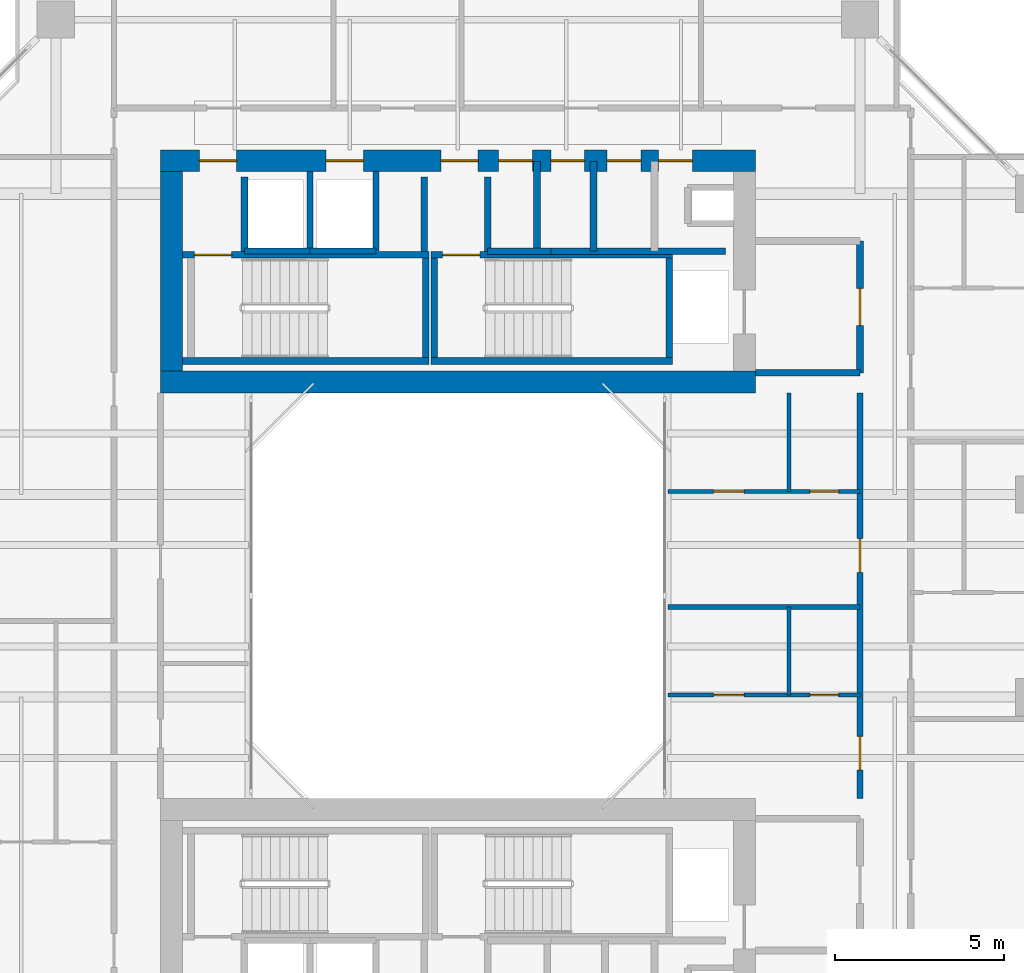
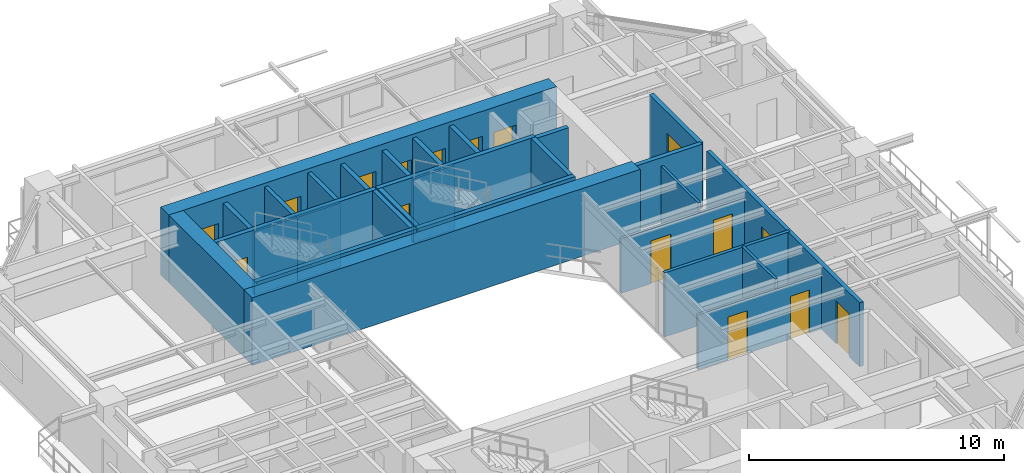
# One storey, part 14 of 23: 29 walls, 16 doors, 16 openings.
"""IFC4 building model written with IfcOpenShell, lengths in metres."""

from ifc_helpers import new_model, si_unit, direction, frame, frame_2d, origin, place, context, subcontext, project, spatial, rectangle, extrude, source, transform, mapped, material, layer, layer_set, type_object, element, fill, save


model = new_model("IFC4")

# Units and contexts
model_context = context("Model", 3, precision=1e-05, world=origin(), true_north=direction((0.0, 1.0)))
body_context = subcontext(model_context, "Body", "Model", "MODEL_VIEW")
ifc_project = project(units=[si_unit("LENGTHUNIT", "METRE"), si_unit("AREAUNIT", "SQUARE_METRE"), si_unit("VOLUMEUNIT", "CUBIC_METRE"), si_unit("PLANEANGLEUNIT", "RADIAN"), si_unit("MASSUNIT", "GRAM", prefix="KILO"), si_unit("THERMODYNAMICTEMPERATUREUNIT", "KELVIN"), si_unit("POWERUNIT", "WATT")], contexts=[model_context])

# Site, building, storey
site_placement = place(None, origin())
site = spatial("IfcSite", under=ifc_project, at=site_placement, CompositionType="ELEMENT")
building_placement = place(site_placement, origin())
building = spatial("IfcBuilding", under=site, at=building_placement, Name="Qiaomeng Ring Towers", CompositionType="ELEMENT")
storey_placement = place(building_placement, frame((0.0, 0.0, 103.5)))
storey = spatial("IfcBuildingStorey", under=building, at=storey_placement, Name="L29", CompositionType="ELEMENT", Elevation=103.5)

# Wall
ifc_material_1 = material(Name="Autoclaved aerated concrete block", Category="concrete")
ifc_layer_1 = layer(ifc_material_1, 0.199951171875, Name="Autoclaved aerated concrete block")
ifc_layer_set_1 = layer_set([ifc_layer_1], Name="Autoclaved aerated concrete block")
wall_type_1 = type_object("IfcWallType", Name="ARC-WL-PW1", PredefinedType="PARTITIONING", material=ifc_layer_set_1)
wall_1_placement = place(storey_placement, frame((27.800048828125, 29.60009765625, 0.0), z_axis=(0.0, 0.0, 1.0), x_axis=(1.0, 0.0, 0.0)))
element("IfcWall", 1, at=wall_1_placement, inside=storey, type_object=wall_type_1, Name="L29 Interior Wall PW1", PredefinedType="PARTITIONING", context=body_context, shape_type="SweptSolid", body=[
    extrude(rectangle(XDim=3.099853515625, YDim=0.199951171875, at=frame_2d((1.5498046875, 0.0))), origin(), (0.0, 0.0, 1.0), 3.070068359375),
])

# Wall, opening, door
wall_2_placement = place(storey_placement, frame((30.89990234375, 29.60009765625, 0.0), z_axis=(0.0, 0.0, 1.0), x_axis=(0.0, 1.0, 0.0)))
wall_2 = element("IfcWall", 2, at=wall_2_placement, inside=storey, type_object=wall_type_1, Name="L29 Interior Wall PW1", PredefinedType="PARTITIONING", context=body_context, shape_type="SweptSolid", body=[
    extrude(rectangle(XDim=3.89990234375, YDim=0.199951171875, at=frame_2d((1.949951171875, 0.0))), origin(), (0.0, 0.0, 1.0), 3.070068359375),
])
opening_1_placement = place(wall_2_placement, frame((1.39990234375, 0.0, 0.0)))
opening_1 = element("IfcOpeningElement", 3, at=opening_1_placement, cuts=wall_2, Name="Opening FD3", PredefinedType="OPENING", context=body_context, shape_type="SweptSolid", body=[
    extrude(rectangle(XDim=1.10009765625, YDim=2.050048828125, at=frame_2d((0.550048828125, 1.02490234375))), frame((0.0, 0.10986328125, 0.0), z_axis=(0.0, -1.0, 0.0), x_axis=(1.0, 0.0, 0.0)), (0.0, 0.0, 1.0), 0.219970703125),
])
ifc_material_2 = material(Name="Galvanised steel", Category="steel")
door_type_1 = type_object("IfcDoorType", Name="ARC-DR-FD3", OperationType="NOTDEFINED", PredefinedType="DOOR", material=ifc_material_2)
shared_shape_1 = source(origin(), body_context, "Body", "SweptSolid", [
    extrude(rectangle(XDim=1.10009765625, YDim=2.050048828125, at=frame_2d((0.550048828125, 1.02490234375))), frame((0.0, 0.02490234375, 0.0), z_axis=(0.0, -1.0, 0.0), x_axis=(1.0, 0.0, 0.0)), (0.0, 0.0, 1.0), 0.050048828125),
])
door_1_placement = place(opening_1_placement, origin())
door_1 = element("IfcDoor", 4, at=door_1_placement, inside=storey, type_object=door_type_1, Name="L29 North FF Lobby Door", OperationType="SINGLE_SWING_LEFT", OverallHeight=2.050048828125, OverallWidth=1.10009765625, PredefinedType="DOOR", context=body_context, shape_type="MappedRepresentation", body=[
    mapped(shared_shape_1, transform((0.0, 0.0, 0.0), x_axis=(1.0, 0.0, 0.0), y_axis=(0.0, 1.0, 0.0), z_axis=(0.0, 0.0, 1.0), scale=1.0)),
])
fill(opening_1, door_1)

# Walls
for number, where, z_axis, x_axis, name in (
    (5, (12.679931640625, 33.18994140625, 0.0), (0.0, 0.0, 1.0), (0.0, 1.0, 0.0), "L29 Interior Wall PW1"),
    (6, (18.0, 33.18994140625, 0.0), (0.0, 0.0, 1.0), (0.0, 1.0, 0.0), "L29 Interior Wall PW1"),
    (7, (19.8798828125, 33.18994140625, 0.0), (0.0, 0.0, 1.0), (0.0, 1.0, 0.0), "L29 Interior Wall PW1"),
):
    element("IfcWall", number, at=place(storey_placement, frame(where, z_axis=z_axis, x_axis=x_axis)), inside=storey, type_object=wall_type_1, Name=name, PredefinedType="PARTITIONING", context=body_context, shape_type="SweptSolid", body=[
        extrude(rectangle(XDim=2.2099609375, YDim=0.199951171875, at=frame_2d((1.10498046875, 0.0))), origin(), (0.0, 0.0, 1.0), 3.070068359375),
    ])
wall_3_placement = place(storey_placement, frame((19.8798828125, 33.199951171875, 0.0), z_axis=(0.0, 0.0, 1.0), x_axis=(1.0, 0.0, 0.0)))
element("IfcWall", 8, at=wall_3_placement, inside=storey, type_object=wall_type_1, Name="L29 Interior Wall PW1", PredefinedType="PARTITIONING", context=body_context, shape_type="SweptSolid", body=[
    extrude(rectangle(XDim=1.8701171875, YDim=0.199951171875, at=frame_2d((0.93505859375, 0.0))), origin(), (0.0, 0.0, 1.0), 3.070068359375),
])
for number, where, z_axis, x_axis, name in (
    (9, (21.340087890625, 33.199951171875, 0.0), (0.0, 0.0, 1.0), (0.0, 1.0, 0.0), "L29 Interior Wall PW1"),
    (10, (23.010009765625, 33.199951171875, 0.0), (0.0, 0.0, 1.0), (0.0, 1.0, 0.0), "L29 Interior Wall PW1"),
):
    element("IfcWall", number, at=place(storey_placement, frame(where, z_axis=z_axis, x_axis=x_axis)), inside=storey, type_object=wall_type_1, Name=name, PredefinedType="PARTITIONING", context=body_context, shape_type="SweptSolid", body=[
        extrude(rectangle(XDim=2.650146484375, YDim=0.199951171875, at=frame_2d((1.3251953125, 0.0))), origin(), (0.0, 0.0, 1.0), 3.070068359375),
    ])
wall_4_placement = place(storey_placement, frame((21.75, 33.199951171875, 0.0), z_axis=(0.0, 0.0, 1.0), x_axis=(1.0, 0.0, 0.0)))
element("IfcWall", 11, at=wall_4_placement, inside=storey, type_object=wall_type_1, Name="L29 Interior Wall PW1", PredefinedType="PARTITIONING", context=body_context, shape_type="SweptSolid", body=[
    extrude(rectangle(XDim=5.169921875, YDim=0.199951171875, at=frame_2d((2.5849609375, 0.0))), origin(), (0.0, 0.0, 1.0), 3.070068359375),
])

# Wall, openings, doors
ifc_layer_2 = layer(ifc_material_1, 0.179931640625, Name="Autoclaved aerated concrete block")
ifc_layer_set_2 = layer_set([ifc_layer_2], Name="Autoclaved aerated concrete block")
wall_type_2 = type_object("IfcWallType", Name="ARC-WL-PW2", PredefinedType="PARTITIONING", material=ifc_layer_set_2)
wall_5_placement = place(storey_placement, frame((30.89990234375, 17.0, 0.0), z_axis=(0.0, 0.0, 1.0), x_axis=(0.0, 1.0, 0.0)))
wall_5 = element("IfcWall", 12, at=wall_5_placement, inside=storey, type_object=wall_type_2, Name="L29 Interior Wall PW2", PredefinedType="PARTITIONING", context=body_context, shape_type="SweptSolid", body=[
    extrude(rectangle(XDim=12.0, YDim=0.179931640625, at=frame_2d((6.0, 0.0))), origin(), (0.0, 0.0, 1.0), 3.070068359375),
])
opening_2_placement = place(wall_5_placement, frame((0.840087890625, 0.0, 0.0)))
opening_2 = element("IfcOpeningElement", 13, at=opening_2_placement, cuts=wall_5, Name="Opening FD4", PredefinedType="OPENING", context=body_context, shape_type="SweptSolid", body=[
    extrude(rectangle(XDim=1.0, YDim=2.050048828125, at=frame_2d((0.5, 1.02490234375))), frame((0.0, 0.099853515625, 0.0), z_axis=(0.0, -1.0, 0.0), x_axis=(1.0, 0.0, 0.0)), (0.0, 0.0, 1.0), 0.199951171875),
])
opening_3_placement = place(wall_5_placement, frame((6.68994140625, 0.0, 0.0)))
opening_3 = element("IfcOpeningElement", 14, at=opening_3_placement, cuts=wall_5, Name="Opening FD4", PredefinedType="OPENING", context=body_context, shape_type="SweptSolid", body=[
    extrude(rectangle(XDim=1.0, YDim=2.050048828125, at=frame_2d((0.5, 1.02490234375))), frame((0.0, 0.099853515625, 0.0), z_axis=(0.0, -1.0, 0.0), x_axis=(1.0, 0.0, 0.0)), (0.0, 0.0, 1.0), 0.199951171875),
])
ifc_material_3 = material(Name="Engineered fire-rated oak timber", Category="wood")
door_type_2 = type_object("IfcDoorType", Name="ARC-DR-FD4", OperationType="NOTDEFINED", PredefinedType="DOOR", material=ifc_material_3)
shared_shape_2 = source(origin(), body_context, "Body", "SweptSolid", [
    extrude(rectangle(XDim=1.0, YDim=2.050048828125, at=frame_2d((0.5, 1.02490234375))), frame((0.0, 0.02490234375, 0.0), z_axis=(0.0, -1.0, 0.0), x_axis=(1.0, 0.0, 0.0)), (0.0, 0.0, 1.0), 0.050048828125),
])
door_2_placement = place(opening_2_placement, origin())
door_2 = element("IfcDoor", 15, at=door_2_placement, inside=storey, type_object=door_type_2, Name="L29 Door FD4", OperationType="SINGLE_SWING_LEFT", OverallHeight=2.050048828125, OverallWidth=1.0, PredefinedType="DOOR", context=body_context, shape_type="MappedRepresentation", body=[
    mapped(shared_shape_2, transform((0.0, 0.0, 0.0), x_axis=(1.0, 0.0, 0.0), y_axis=(0.0, 1.0, 0.0), z_axis=(0.0, 0.0, 1.0), scale=1.0)),
])
fill(opening_2, door_2)
door_3_placement = place(opening_3_placement, origin())
door_3 = element("IfcDoor", 16, at=door_3_placement, inside=storey, type_object=door_type_2, Name="L29 Door FD4", OperationType="SINGLE_SWING_RIGHT", OverallHeight=2.050048828125, OverallWidth=1.0, PredefinedType="DOOR", context=body_context, shape_type="MappedRepresentation", body=[
    mapped(shared_shape_2, transform((0.0, 0.0, 0.0), x_axis=(1.0, 0.0, 0.0), y_axis=(0.0, 1.0, 0.0), z_axis=(0.0, 0.0, 1.0), scale=1.0)),
])
fill(opening_3, door_3)

# Wall
ifc_material_4 = material(Name="Gypsum fireboard steel-stud partition", Category="steel")
ifc_layer_3 = layer(ifc_material_4, 0.14990234375, Name="Gypsum fireboard steel-stud partition")
ifc_layer_set_3 = layer_set([ifc_layer_3], Name="Gypsum fireboard steel-stud partition")
wall_type_3 = type_object("IfcWallType", Name="ARC-WL-PW3", PredefinedType="PARTITIONING", material=ifc_layer_set_3)
wall_6_placement = place(storey_placement, frame((25.219970703125, 22.669921875, 0.0), z_axis=(0.0, 0.0, 1.0), x_axis=(1.0, 0.0, 0.0)))
element("IfcWall", 17, at=wall_6_placement, inside=storey, type_object=wall_type_3, Name="L29 Interior Wall PW3", PredefinedType="PARTITIONING", context=body_context, shape_type="SweptSolid", body=[
    extrude(rectangle(XDim=5.679931640625, YDim=0.14990234375, at=frame_2d((2.83984375, 0.0))), origin(), (0.0, 0.0, 1.0), 3.070068359375),
])

# Wall, openings, doors
ifc_material_5 = material(Name="Moisture-resistant gypsum steel-stud partition", Category="steel")
ifc_layer_4 = layer(ifc_material_5, 0.1201171875, Name="Moisture-resistant gypsum steel-stud partition")
ifc_layer_set_4 = layer_set([ifc_layer_4], Name="Moisture-resistant gypsum steel-stud partition")
wall_type_4 = type_object("IfcWallType", Name="ARC-WL-PW4", PredefinedType="PLUMBINGWALL", material=ifc_layer_set_4)
wall_7_placement = place(storey_placement, frame((25.219970703125, 20.06005859375, 0.0), z_axis=(0.0, 0.0, 1.0), x_axis=(1.0, 0.0, 0.0)))
wall_7 = element("IfcWall", 18, at=wall_7_placement, inside=storey, type_object=wall_type_4, Name="L29 Interior Wall PW4", PredefinedType="PLUMBINGWALL", context=body_context, shape_type="SweptSolid", body=[
    extrude(rectangle(XDim=5.679931640625, YDim=0.1201171875, at=frame_2d((2.83984375, 0.0))), origin(), (0.0, 0.0, 1.0), 2.625),
])
opening_4_placement = place(wall_7_placement, frame((1.35009765625, 0.0, 0.0)))
opening_4 = element("IfcOpeningElement", 19, at=opening_4_placement, cuts=wall_7, Name="Opening ID1", PredefinedType="OPENING", context=body_context, shape_type="SweptSolid", body=[
    extrude(rectangle(XDim=0.89990234375, YDim=2.050048828125, at=frame_2d((0.449951171875, 1.02490234375))), frame((0.0, 0.070068359375, 0.0), z_axis=(0.0, -1.0, 0.0), x_axis=(1.0, 0.0, 0.0)), (0.0, 0.0, 1.0), 0.14013671875),
])
opening_5_placement = place(wall_7_placement, frame((4.195068359375, 0.0, 0.0)))
opening_5 = element("IfcOpeningElement", 20, at=opening_5_placement, cuts=wall_7, Name="Opening ID2", PredefinedType="OPENING", context=body_context, shape_type="SweptSolid", body=[
    extrude(rectangle(XDim=0.85009765625, YDim=2.050048828125, at=frame_2d((0.425048828125, 1.02490234375))), frame((0.0, 0.070068359375, 0.0), z_axis=(0.0, -1.0, 0.0), x_axis=(1.0, 0.0, 0.0)), (0.0, 0.0, 1.0), 0.14013671875),
])
ifc_material_6 = material(Name="Moisture-resistant engineered timber", Category="wood")
door_type_3 = type_object("IfcDoorType", Name="ARC-DR-ID2", OperationType="NOTDEFINED", PredefinedType="DOOR", material=ifc_material_6)
shared_shape_3 = source(origin(), body_context, "Body", "SweptSolid", [
    extrude(rectangle(XDim=0.85009765625, YDim=2.050048828125, at=frame_2d((0.425048828125, 1.02490234375))), frame((0.0, 0.02490234375, 0.0), z_axis=(0.0, -1.0, 0.0), x_axis=(1.0, 0.0, 0.0)), (0.0, 0.0, 1.0), 0.050048828125),
])
door_4_placement = place(opening_5_placement, origin())
door_4 = element("IfcDoor", 21, at=door_4_placement, inside=storey, type_object=door_type_3, Name="L29 Door ID2", OperationType="SINGLE_SWING_RIGHT", OverallHeight=2.050048828125, OverallWidth=0.85009765625, PredefinedType="DOOR", context=body_context, shape_type="MappedRepresentation", body=[
    mapped(shared_shape_3, transform((0.0, 0.0, 0.0), x_axis=(1.0, 0.0, 0.0), y_axis=(0.0, 1.0, 0.0), z_axis=(0.0, 0.0, 1.0), scale=1.0)),
])
fill(opening_5, door_4)
ifc_material_7 = material(Name="Engineered oak timber", Category="wood")
door_type_4 = type_object("IfcDoorType", Name="ARC-DR-ID1", OperationType="NOTDEFINED", PredefinedType="DOOR", material=ifc_material_7)
shared_shape_4 = source(origin(), body_context, "Body", "SweptSolid", [
    extrude(rectangle(XDim=0.89990234375, YDim=2.050048828125, at=frame_2d((0.449951171875, 1.02490234375))), frame((0.0, 0.02490234375, 0.0), z_axis=(0.0, -1.0, 0.0), x_axis=(1.0, 0.0, 0.0)), (0.0, 0.0, 1.0), 0.050048828125),
])
door_5_placement = place(opening_4_placement, origin())
door_5 = element("IfcDoor", 22, at=door_5_placement, inside=storey, type_object=door_type_4, Name="L29 Door ID1", OperationType="SINGLE_SWING_LEFT", OverallHeight=2.050048828125, OverallWidth=0.89990234375, PredefinedType="DOOR", context=body_context, shape_type="MappedRepresentation", body=[
    mapped(shared_shape_4, transform((0.0, 0.0, 0.0), x_axis=(1.0, 0.0, 0.0), y_axis=(0.0, 1.0, 0.0), z_axis=(0.0, 0.0, 1.0), scale=1.0)),
])
fill(opening_4, door_5)

# Wall
wall_8_placement = place(storey_placement, frame((28.800048828125, 20.06005859375, 0.0), z_axis=(0.0, 0.0, 1.0), x_axis=(0.0, 1.0, 0.0)))
element("IfcWall", 23, at=wall_8_placement, inside=storey, type_object=wall_type_4, Name="L29 Interior Wall PW4", PredefinedType="PLUMBINGWALL", context=body_context, shape_type="SweptSolid", body=[
    extrude(rectangle(XDim=2.60986328125, YDim=0.1201171875, at=frame_2d((1.304931640625, 0.0))), origin(), (0.0, 0.0, 1.0), 3.070068359375),
])

# Wall, openings, doors
wall_9_placement = place(storey_placement, frame((25.219970703125, 26.090087890625, 0.0), z_axis=(0.0, 0.0, 1.0), x_axis=(1.0, 0.0, 0.0)))
wall_9 = element("IfcWall", 24, at=wall_9_placement, inside=storey, type_object=wall_type_4, Name="L29 Interior Wall PW4", PredefinedType="PLUMBINGWALL", context=body_context, shape_type="SweptSolid", body=[
    extrude(rectangle(XDim=5.679931640625, YDim=0.1201171875, at=frame_2d((2.83984375, 0.0))), origin(), (0.0, 0.0, 1.0), 2.625),
])
opening_6_placement = place(wall_9_placement, frame((1.35009765625, 0.0, 0.0)))
opening_6 = element("IfcOpeningElement", 25, at=opening_6_placement, cuts=wall_9, Name="Opening ID1", PredefinedType="OPENING", context=body_context, shape_type="SweptSolid", body=[
    extrude(rectangle(XDim=0.89990234375, YDim=2.050048828125, at=frame_2d((0.449951171875, 1.02490234375))), frame((0.0, 0.070068359375, 0.0), z_axis=(0.0, -1.0, 0.0), x_axis=(1.0, 0.0, 0.0)), (0.0, 0.0, 1.0), 0.14013671875),
])
opening_7_placement = place(wall_9_placement, frame((4.195068359375, 0.0, 0.0)))
opening_7 = element("IfcOpeningElement", 26, at=opening_7_placement, cuts=wall_9, Name="Opening ID2", PredefinedType="OPENING", context=body_context, shape_type="SweptSolid", body=[
    extrude(rectangle(XDim=0.85009765625, YDim=2.050048828125, at=frame_2d((0.425048828125, 1.02490234375))), frame((0.0, 0.070068359375, 0.0), z_axis=(0.0, -1.0, 0.0), x_axis=(1.0, 0.0, 0.0)), (0.0, 0.0, 1.0), 0.14013671875),
])
door_6_placement = place(opening_7_placement, origin())
door_6 = element("IfcDoor", 27, at=door_6_placement, inside=storey, type_object=door_type_3, Name="L29 Door ID2", OperationType="SINGLE_SWING_RIGHT", OverallHeight=2.050048828125, OverallWidth=0.85009765625, PredefinedType="DOOR", context=body_context, shape_type="MappedRepresentation", body=[
    mapped(shared_shape_3, transform((0.0, 0.0, 0.0), x_axis=(1.0, 0.0, 0.0), y_axis=(0.0, 1.0, 0.0), z_axis=(0.0, 0.0, 1.0), scale=1.0)),
])
fill(opening_7, door_6)
door_7_placement = place(opening_6_placement, origin())
door_7 = element("IfcDoor", 28, at=door_7_placement, inside=storey, type_object=door_type_4, Name="L29 Door ID1", OperationType="SINGLE_SWING_LEFT", OverallHeight=2.050048828125, OverallWidth=0.89990234375, PredefinedType="DOOR", context=body_context, shape_type="MappedRepresentation", body=[
    mapped(shared_shape_4, transform((0.0, 0.0, 0.0), x_axis=(1.0, 0.0, 0.0), y_axis=(0.0, 1.0, 0.0), z_axis=(0.0, 0.0, 1.0), scale=1.0)),
])
fill(opening_6, door_7)

# Walls
wall_10_placement = place(storey_placement, frame((28.800048828125, 26.090087890625, 0.0), z_axis=(0.0, 0.0, 1.0), x_axis=(0.0, 1.0, 0.0)))
element("IfcWall", 29, at=wall_10_placement, inside=storey, type_object=wall_type_4, Name="L29 Interior Wall PW4", PredefinedType="PLUMBINGWALL", context=body_context, shape_type="SweptSolid", body=[
    extrude(rectangle(XDim=2.909912109375, YDim=0.1201171875, at=frame_2d((1.455078125, 0.0))), origin(), (0.0, 0.0, 1.0), 3.070068359375),
])
ifc_material_8 = material(Name="Concrete C40", Category="concrete")
ifc_layer_5 = layer(ifc_material_8, 0.199951171875, Name="Concrete C40")
ifc_layer_set_5 = layer_set([ifc_layer_5], Name="Concrete C40")
wall_type_5 = type_object("IfcWallType", Name="STR-WL-STSHAFT", PredefinedType="SHEAR", material=ifc_layer_set_5)
wall_11_placement = place(storey_placement, frame((12.679931640625, 33.199951171875, 0.0), z_axis=(0.0, 0.0, 1.0), x_axis=(1.0, 0.0, 0.0)))
element("IfcWall", 30, at=wall_11_placement, inside=storey, type_object=wall_type_5, Name="L29 Lift LP5 Shaft Back Wall", PredefinedType="SHEAR", context=body_context, shape_type="SweptSolid", body=[
    extrude(rectangle(XDim=1.940185546875, YDim=0.179931640625, at=frame_2d((0.97021484375, 0.0))), origin(), (0.0, 0.0, 1.0), 3.070068359375),
])
wall_12_placement = place(storey_placement, frame((14.6201171875, 33.199951171875, 0.0), z_axis=(0.0, 0.0, 1.0), x_axis=(0.0, 1.0, 0.0)))
element("IfcWall", 31, at=wall_12_placement, inside=storey, type_object=wall_type_5, Name="L29 Lift LP5-LP3 Shaft Divider Wall", PredefinedType="SHEAR", context=body_context, shape_type="SweptSolid", body=[
    extrude(rectangle(XDim=2.35009765625, YDim=0.179931640625, at=frame_2d((1.175048828125, 0.0))), origin(), (0.0, 0.0, 1.0), 3.070068359375),
])
wall_13_placement = place(storey_placement, frame((14.6201171875, 33.199951171875, 0.0), z_axis=(0.0, 0.0, 1.0), x_axis=(1.0, 0.0, 0.0)))
element("IfcWall", 32, at=wall_13_placement, inside=storey, type_object=wall_type_5, Name="L29 Lift LP3 Shaft Back Wall", PredefinedType="SHEAR", context=body_context, shape_type="SweptSolid", body=[
    extrude(rectangle(XDim=1.9599609375, YDim=0.179931640625, at=frame_2d((0.97998046875, 0.0))), origin(), (0.0, 0.0, 1.0), 3.070068359375),
])
wall_14_placement = place(storey_placement, frame((16.580078125, 33.199951171875, 0.0), z_axis=(0.0, 0.0, 1.0), x_axis=(0.0, 1.0, 0.0)))
element("IfcWall", 33, at=wall_14_placement, inside=storey, type_object=wall_type_5, Name="L29 Lift LP3 East Shaft Wall", PredefinedType="SHEAR", context=body_context, shape_type="SweptSolid", body=[
    extrude(rectangle(XDim=2.35009765625, YDim=0.179931640625, at=frame_2d((1.175048828125, 0.0))), origin(), (0.0, 0.0, 1.0), 3.070068359375),
])
wall_15_placement = place(storey_placement, frame((10.85009765625, 29.949951171875, 0.0), z_axis=(0.0, 0.0, 1.0), x_axis=(1.0, 0.0, 0.0)))
element("IfcWall", 34, at=wall_15_placement, inside=storey, type_object=wall_type_5, Name="L29 Stair ST1 South Shaft Shear Wall", PredefinedType="SHEAR", context=body_context, shape_type="SweptSolid", body=[
    extrude(rectangle(XDim=7.2998046875, YDim=0.199951171875, at=frame_2d((3.64990234375, 0.0))), origin(), (0.0, 0.0, 1.0), 3.25),
])

# Wall, opening, door
wall_16_placement = place(storey_placement, frame((10.85009765625, 33.090087890625, 0.0), z_axis=(0.0, 0.0, 1.0), x_axis=(1.0, 0.0, 0.0)))
wall_16 = element("IfcWall", 35, at=wall_16_placement, inside=storey, type_object=wall_type_5, Name="L29 Stair ST1 North Shaft Shear Wall", PredefinedType="SHEAR", context=body_context, shape_type="SweptSolid", body=[
    extrude(rectangle(XDim=7.2998046875, YDim=0.199951171875, at=frame_2d((3.64990234375, 0.0))), origin(), (0.0, 0.0, 1.0), 3.25),
])
opening_8_placement = place(wall_16_placement, frame((0.35009765625, 0.0, 0.0)))
opening_8 = element("IfcOpeningElement", 36, at=opening_8_placement, cuts=wall_16, Name="Opening FD3", PredefinedType="OPENING", context=body_context, shape_type="SweptSolid", body=[
    extrude(rectangle(XDim=1.10009765625, YDim=2.050048828125, at=frame_2d((0.550048828125, 1.02490234375))), frame((0.0, 0.10986328125, 0.0), z_axis=(0.0, -1.0, 0.0), x_axis=(1.0, 0.0, 0.0)), (0.0, 0.0, 1.0), 0.219970703125),
])
door_8_placement = place(opening_8_placement, origin())
door_8 = element("IfcDoor", 37, at=door_8_placement, inside=storey, type_object=door_type_1, Name="L29 Stair ST1 Exit Door", OperationType="SINGLE_SWING_RIGHT", OverallHeight=2.050048828125, OverallWidth=1.10009765625, PredefinedType="DOOR", context=body_context, shape_type="MappedRepresentation", body=[
    mapped(shared_shape_1, transform((0.0, 0.0, 0.0), x_axis=(1.0, 0.0, 0.0), y_axis=(0.0, 1.0, 0.0), z_axis=(0.0, 0.0, 1.0), scale=1.0)),
])
fill(opening_8, door_8)

# Walls
wall_17_placement = place(storey_placement, frame((18.050048828125, 30.050048828125, 0.0), z_axis=(0.0, 0.0, 1.0), x_axis=(0.0, 1.0, 0.0)))
element("IfcWall", 38, at=wall_17_placement, inside=storey, type_object=wall_type_5, Name="L29 Stair ST1 East Shaft Shear Wall", PredefinedType="SHEAR", context=body_context, shape_type="SweptSolid", body=[
    extrude(rectangle(XDim=2.93994140625, YDim=0.199951171875, at=frame_2d((1.469970703125, 0.0))), origin(), (0.0, 0.0, 1.0), 3.25),
])
wall_18_placement = place(storey_placement, frame((18.199951171875, 29.949951171875, 0.0), z_axis=(0.0, 0.0, 1.0), x_axis=(1.0, 0.0, 0.0)))
element("IfcWall", 39, at=wall_18_placement, inside=storey, type_object=wall_type_5, Name="L29 Stair ST2 South Shaft Shear Wall", PredefinedType="SHEAR", context=body_context, shape_type="SweptSolid", body=[
    extrude(rectangle(XDim=7.150146484375, YDim=0.199951171875, at=frame_2d((3.5751953125, 0.0))), origin(), (0.0, 0.0, 1.0), 3.25),
])

# Wall, opening, door
wall_19_placement = place(storey_placement, frame((18.199951171875, 33.090087890625, 0.0), z_axis=(0.0, 0.0, 1.0), x_axis=(1.0, 0.0, 0.0)))
wall_19 = element("IfcWall", 40, at=wall_19_placement, inside=storey, type_object=wall_type_5, Name="L29 Stair ST2 North Shaft Shear Wall", PredefinedType="SHEAR", context=body_context, shape_type="SweptSolid", body=[
    extrude(rectangle(XDim=7.150146484375, YDim=0.199951171875, at=frame_2d((3.5751953125, 0.0))), origin(), (0.0, 0.0, 1.0), 3.25),
])
opening_9_placement = place(wall_19_placement, frame((0.35009765625, 0.0, 0.0)))
opening_9 = element("IfcOpeningElement", 41, at=opening_9_placement, cuts=wall_19, Name="Opening FD3", PredefinedType="OPENING", context=body_context, shape_type="SweptSolid", body=[
    extrude(rectangle(XDim=1.10009765625, YDim=2.050048828125, at=frame_2d((0.550048828125, 1.02490234375))), frame((0.0, 0.10986328125, 0.0), z_axis=(0.0, -1.0, 0.0), x_axis=(1.0, 0.0, 0.0)), (0.0, 0.0, 1.0), 0.219970703125),
])
door_9_placement = place(opening_9_placement, origin())
door_9 = element("IfcDoor", 42, at=door_9_placement, inside=storey, type_object=door_type_1, Name="L29 Stair ST2 Exit Door", OperationType="SINGLE_SWING_RIGHT", OverallHeight=2.050048828125, OverallWidth=1.10009765625, PredefinedType="DOOR", context=body_context, shape_type="MappedRepresentation", body=[
    mapped(shared_shape_1, transform((0.0, 0.0, 0.0), x_axis=(1.0, 0.0, 0.0), y_axis=(0.0, 1.0, 0.0), z_axis=(0.0, 0.0, 1.0), scale=1.0)),
])
fill(opening_9, door_9)

# Walls
for number, where, z_axis, x_axis, name in (
    (43, (18.300048828125, 30.050048828125, 0.0), (0.0, 0.0, 1.0), (0.0, 1.0, 0.0), "L29 Stair ST2 West Shaft Shear Wall"),
    (44, (25.25, 30.050048828125, 0.0), (0.0, 0.0, 1.0), (0.0, 1.0, 0.0), "L29 Stair ST2 East Shaft Shear Wall"),
):
    element("IfcWall", number, at=place(storey_placement, frame(where, z_axis=z_axis, x_axis=x_axis)), inside=storey, type_object=wall_type_5, Name=name, PredefinedType="SHEAR", context=body_context, shape_type="SweptSolid", body=[
        extrude(rectangle(XDim=2.93994140625, YDim=0.199951171875, at=frame_2d((1.469970703125, 0.0))), origin(), (0.0, 0.0, 1.0), 3.25),
    ])
ifc_material_9 = material(Name="Concrete C55", Category="concrete")
ifc_layer_6 = layer(ifc_material_9, 0.64990234375, Name="Concrete C55")
ifc_layer_set_6 = layer_set([ifc_layer_6], Name="Concrete C55")
wall_type_6 = type_object("IfcWallType", Name="STR-WL-SW2A", PredefinedType="SHEAR", material=ifc_layer_set_6)
wall_20_placement = place(storey_placement, frame((10.199951171875, 29.324951171875, 0.0), z_axis=(0.0, 0.0, 1.0), x_axis=(1.0, 0.0, 0.0)))
element("IfcWall", 45, at=wall_20_placement, inside=storey, type_object=wall_type_6, Name="L29 T1NC south core shear wall", PredefinedType="SHEAR", context=body_context, shape_type="SweptSolid", body=[
    extrude(rectangle(XDim=17.60009765625, YDim=0.64990234375, at=frame_2d((8.800048828125, 0.0))), origin(), (0.0, 0.0, 1.0), 3.25),
])

# Wall, openings, doors
wall_21_placement = place(storey_placement, frame((10.199951171875, 35.875, 0.0), z_axis=(0.0, 0.0, 1.0), x_axis=(1.0, 0.0, 0.0)))
wall_21 = element("IfcWall", 46, at=wall_21_placement, inside=storey, type_object=wall_type_6, Name="L29 T1NC north core shear wall", PredefinedType="SHEAR", context=body_context, shape_type="SweptSolid", body=[
    extrude(rectangle(XDim=17.60009765625, YDim=0.64990234375, at=frame_2d((8.800048828125, 0.0))), origin(), (0.0, 0.0, 1.0), 3.25),
])
opening_10_placement = place(wall_21_placement, frame((1.14990234375, 0.0, 0.0)))
opening_10 = element("IfcOpeningElement", 47, at=opening_10_placement, cuts=wall_21, Name="Opening FD3", PredefinedType="OPENING", context=body_context, shape_type="SweptSolid", body=[
    extrude(rectangle(XDim=1.10009765625, YDim=2.050048828125, at=frame_2d((0.550048828125, 1.02490234375))), frame((0.0, 0.3349609375, 0.0), z_axis=(0.0, -1.0, 0.0), x_axis=(1.0, 0.0, 0.0)), (0.0, 0.0, 1.0), 0.669921875),
])
opening_11_placement = place(wall_21_placement, frame((8.300048828125, 0.0, 0.0)))
opening_11 = element("IfcOpeningElement", 48, at=opening_11_placement, cuts=wall_21, Name="Opening FD3", PredefinedType="OPENING", context=body_context, shape_type="SweptSolid", body=[
    extrude(rectangle(XDim=1.10009765625, YDim=2.050048828125, at=frame_2d((0.550048828125, 1.02490234375))), frame((0.0, 0.3349609375, 0.0), z_axis=(0.0, -1.0, 0.0), x_axis=(1.0, 0.0, 0.0)), (0.0, 0.0, 1.0), 0.669921875),
])
opening_12_placement = place(wall_21_placement, frame((4.89990234375, 0.0, 0.0)))
opening_12 = element("IfcOpeningElement", 49, at=opening_12_placement, cuts=wall_21, Name="Opening LD1", PredefinedType="OPENING", context=body_context, shape_type="SweptSolid", body=[
    extrude(rectangle(XDim=1.10009765625, YDim=2.050048828125, at=frame_2d((0.550048828125, 1.02490234375))), frame((0.0, 0.3349609375, 0.0), z_axis=(0.0, -1.0, 0.0), x_axis=(1.0, 0.0, 0.0)), (0.0, 0.0, 1.0), 0.669921875),
])
opening_13_placement = place(wall_21_placement, frame((14.739990234375, 0.0, 0.0)))
opening_13 = element("IfcOpeningElement", 50, at=opening_13_placement, cuts=wall_21, Name="Opening FD1", PredefinedType="OPENING", context=body_context, shape_type="SweptSolid", body=[
    extrude(rectangle(XDim=1.0, YDim=2.050048828125, at=frame_2d((0.5, 1.02490234375))), frame((0.0, 0.3349609375, 0.0), z_axis=(0.0, -1.0, 0.0), x_axis=(1.0, 0.0, 0.0)), (0.0, 0.0, 1.0), 0.669921875),
])
opening_14_placement = place(wall_21_placement, frame((10.0048828125, 0.0, 0.0)))
opening_14 = element("IfcOpeningElement", 51, at=opening_14_placement, cuts=wall_21, Name="Opening FD1", PredefinedType="OPENING", context=body_context, shape_type="SweptSolid", body=[
    extrude(rectangle(XDim=1.0, YDim=2.050048828125, at=frame_2d((0.5, 1.02490234375))), frame((0.0, 0.3349609375, 0.0), z_axis=(0.0, -1.0, 0.0), x_axis=(1.0, 0.0, 0.0)), (0.0, 0.0, 1.0), 0.669921875),
])
opening_15_placement = place(wall_21_placement, frame((11.550048828125, 0.0, 0.0)))
opening_15 = element("IfcOpeningElement", 52, at=opening_15_placement, cuts=wall_21, Name="Opening FD1", PredefinedType="OPENING", context=body_context, shape_type="SweptSolid", body=[
    extrude(rectangle(XDim=1.0, YDim=2.050048828125, at=frame_2d((0.5, 1.02490234375))), frame((0.0, 0.3349609375, 0.0), z_axis=(0.0, -1.0, 0.0), x_axis=(1.0, 0.0, 0.0)), (0.0, 0.0, 1.0), 0.669921875),
])
opening_16_placement = place(wall_21_placement, frame((13.215087890625, 0.0, 0.0)))
opening_16 = element("IfcOpeningElement", 53, at=opening_16_placement, cuts=wall_21, Name="Opening FD1", PredefinedType="OPENING", context=body_context, shape_type="SweptSolid", body=[
    extrude(rectangle(XDim=1.0, YDim=2.050048828125, at=frame_2d((0.5, 1.02490234375))), frame((0.0, 0.3349609375, 0.0), z_axis=(0.0, -1.0, 0.0), x_axis=(1.0, 0.0, 0.0)), (0.0, 0.0, 1.0), 0.669921875),
])
door_10_placement = place(opening_10_placement, origin())
door_10 = element("IfcDoor", 54, at=door_10_placement, inside=storey, type_object=door_type_1, Name="L29 Stair ST1 Lobby Door", OperationType="SINGLE_SWING_LEFT", OverallHeight=2.050048828125, OverallWidth=1.10009765625, PredefinedType="DOOR", context=body_context, shape_type="MappedRepresentation", body=[
    mapped(shared_shape_1, transform((0.0, 0.0, 0.0), x_axis=(1.0, 0.0, 0.0), y_axis=(0.0, 1.0, 0.0), z_axis=(0.0, 0.0, 1.0), scale=1.0)),
])
fill(opening_10, door_10)
door_11_placement = place(opening_11_placement, origin())
door_11 = element("IfcDoor", 55, at=door_11_placement, inside=storey, type_object=door_type_1, Name="L29 Stair ST2 Lobby Door", OperationType="SINGLE_SWING_LEFT", OverallHeight=2.050048828125, OverallWidth=1.10009765625, PredefinedType="DOOR", context=body_context, shape_type="MappedRepresentation", body=[
    mapped(shared_shape_1, transform((0.0, 0.0, 0.0), x_axis=(1.0, 0.0, 0.0), y_axis=(0.0, 1.0, 0.0), z_axis=(0.0, 0.0, 1.0), scale=1.0)),
])
fill(opening_11, door_11)
ifc_material_10 = material(Name="Stainless steel 316", Category="steel")
door_type_5 = type_object("IfcDoorType", Name="ARC-DR-LD1", OperationType="NOTDEFINED", PredefinedType="DOOR", material=ifc_material_10)
door_12_placement = place(opening_12_placement, origin())
door_12 = element("IfcDoor", 56, at=door_12_placement, inside=storey, type_object=door_type_5, Name="L29 Mid-Zone Lift LP3 Landing Door", OperationType="SLIDING_TO_LEFT", OverallHeight=2.050048828125, OverallWidth=1.10009765625, PredefinedType="DOOR", context=body_context, shape_type="MappedRepresentation", body=[
    mapped(shared_shape_1, transform((0.0, 0.0, 0.0), x_axis=(1.0, 0.0, 0.0), y_axis=(0.0, 1.0, 0.0), z_axis=(0.0, 0.0, 1.0), scale=1.0)),
])
fill(opening_12, door_12)
door_type_6 = type_object("IfcDoorType", Name="ARC-DR-FD1", OperationType="NOTDEFINED", PredefinedType="DOOR", material=ifc_material_2)
door_13_placement = place(opening_13_placement, origin())
door_13 = element("IfcDoor", 57, at=door_13_placement, inside=storey, type_object=door_type_6, Name="L29 North Electrical Riser Door", OperationType="SINGLE_SWING_LEFT", OverallHeight=2.050048828125, OverallWidth=1.0, PredefinedType="DOOR", context=body_context, shape_type="MappedRepresentation", body=[
    mapped(shared_shape_2, transform((0.0, 0.0, 0.0), x_axis=(1.0, 0.0, 0.0), y_axis=(0.0, 1.0, 0.0), z_axis=(0.0, 0.0, 1.0), scale=1.0)),
])
fill(opening_13, door_13)
door_14_placement = place(opening_14_placement, origin())
door_14 = element("IfcDoor", 58, at=door_14_placement, inside=storey, type_object=door_type_6, Name="L29 North Cleaners Cupboard Door", OperationType="SINGLE_SWING_LEFT", OverallHeight=2.050048828125, OverallWidth=1.0, PredefinedType="DOOR", context=body_context, shape_type="MappedRepresentation", body=[
    mapped(shared_shape_2, transform((0.0, 0.0, 0.0), x_axis=(1.0, 0.0, 0.0), y_axis=(0.0, 1.0, 0.0), z_axis=(0.0, 0.0, 1.0), scale=1.0)),
])
fill(opening_14, door_14)
door_15_placement = place(opening_15_placement, origin())
door_15 = element("IfcDoor", 59, at=door_15_placement, inside=storey, type_object=door_type_6, Name="L29 North Staff Tea Pantry Door", OperationType="SINGLE_SWING_RIGHT", OverallHeight=2.050048828125, OverallWidth=1.0, PredefinedType="DOOR", context=body_context, shape_type="MappedRepresentation", body=[
    mapped(shared_shape_2, transform((0.0, 0.0, 0.0), x_axis=(1.0, 0.0, 0.0), y_axis=(0.0, 1.0, 0.0), z_axis=(0.0, 0.0, 1.0), scale=1.0)),
])
fill(opening_15, door_15)
door_16_placement = place(opening_16_placement, origin())
door_16 = element("IfcDoor", 60, at=door_16_placement, inside=storey, type_object=door_type_6, Name="L29 North Records Study Door", OperationType="SINGLE_SWING_LEFT", OverallHeight=2.050048828125, OverallWidth=1.0, PredefinedType="DOOR", context=body_context, shape_type="MappedRepresentation", body=[
    mapped(shared_shape_2, transform((0.0, 0.0, 0.0), x_axis=(1.0, 0.0, 0.0), y_axis=(0.0, 1.0, 0.0), z_axis=(0.0, 0.0, 1.0), scale=1.0)),
])
fill(opening_16, door_16)

# Wall
wall_22_placement = place(storey_placement, frame((10.52490234375, 29.64990234375, 0.0), z_axis=(0.0, 0.0, 1.0), x_axis=(0.0, 1.0, 0.0)))
element("IfcWall", 61, at=wall_22_placement, inside=storey, type_object=wall_type_6, Name="L29 T1NC west core shear wall", PredefinedType="SHEAR", context=body_context, shape_type="SweptSolid", body=[
    extrude(rectangle(XDim=5.900146484375, YDim=0.64990234375, at=frame_2d((2.9501953125, 0.0))), origin(), (0.0, 0.0, 1.0), 3.25),
])

save(model, "model.ifc")
